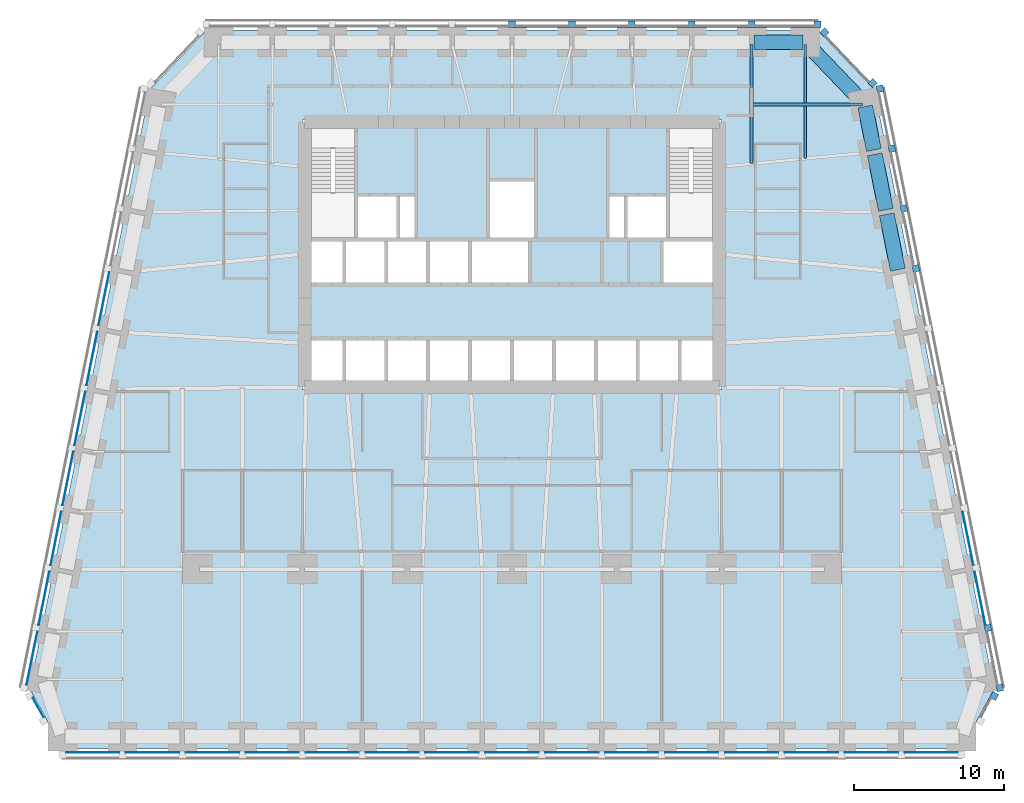
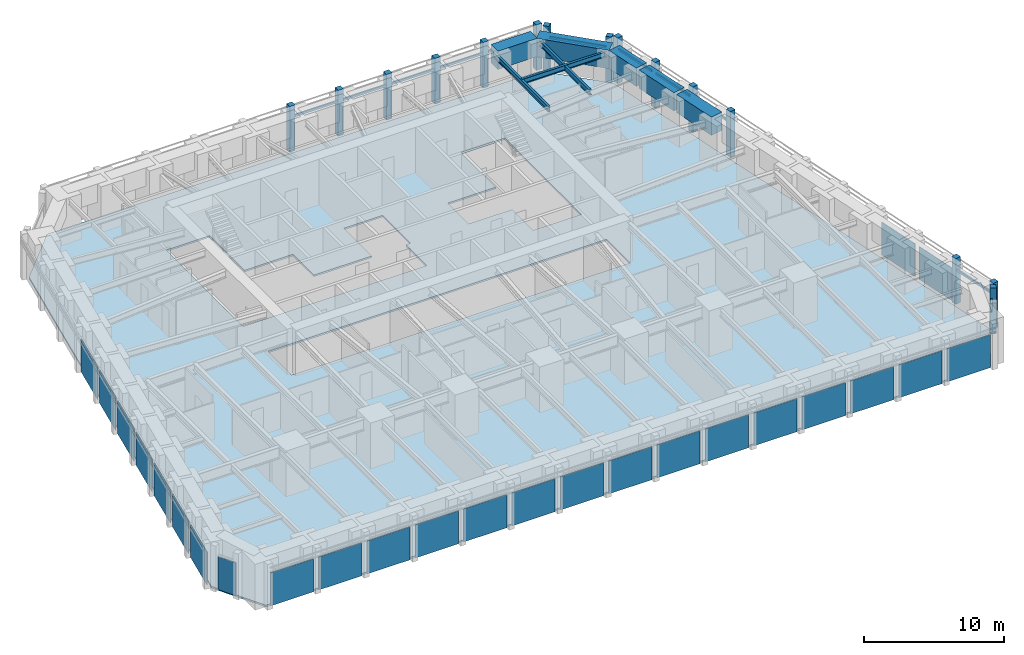
# One storey, part 4 of 10: 26 members, 25 plates, 8 beams, 1 slab, 7 elements without a shape of their own.
"""IFC4 building model written with IfcOpenShell, lengths in metres."""

from ifc_helpers import new_model, si_unit, direction, frame, origin, origin_2d, place, context, subcontext, project, spatial, polyline, rectangle, i_section, outline, extrude, material, layer, layer_set, material_profile, profile_set, type_object, element, aggregate, save


model = new_model("IFC4")

# Units and contexts
model_context = context("Model", 3, precision=1e-05, world=origin(), true_north=direction((0.0, 1.0)))
body_context = subcontext(model_context, "Body", "Model", "MODEL_VIEW")
ifc_project = project(units=[si_unit("LENGTHUNIT", "METRE"), si_unit("AREAUNIT", "SQUARE_METRE"), si_unit("VOLUMEUNIT", "CUBIC_METRE"), si_unit("PLANEANGLEUNIT", "RADIAN"), si_unit("MASSUNIT", "GRAM", prefix="KILO")], contexts=[model_context])

# Site, building, storey
site_placement = place(None, origin())
site = spatial("IfcSite", under=ifc_project, at=site_placement, CompositionType="ELEMENT")
building_placement = place(site_placement, origin())
building = spatial("IfcBuilding", under=site, at=building_placement, Name="Isbrekke Arena Tower", CompositionType="ELEMENT")
storey_placement = place(building_placement, frame((0.0, 0.0, 80.0)))
storey = spatial("IfcBuildingStorey", under=building, at=storey_placement, Name="L17", CompositionType="ELEMENT", Elevation=80.0)

# Beams
ifc_material_1 = material(Name="Steel S355", Category="steel")
ifc_material_profile_1 = material_profile(ifc_material_1, i_section(OverallWidth=0.18994140625, OverallDepth=0.449951171875, WebThickness=0.009521484375, FlangeThickness=0.0146484375, FilletRadius=0.02099609375, at=origin_2d()), Name="IPE 450")
ifc_profile_set_1 = profile_set([ifc_material_profile_1], Name="Steel S355")
beam_type_1 = type_object("IfcBeamType", Name="B2 IPE 450", PredefinedType="BEAM", material=ifc_profile_set_1)
beam_1_placement = place(storey_placement, frame((23.40283203125, 25.029296875, 3.625), z_axis=(-1.0, 0.0, 0.0), x_axis=(0.0, -1.0, 0.0)))
element("IfcBeam", 1, at=beam_1_placement, inside=storey, type_object=beam_type_1, Name="B2 beam E-E11 L17", PredefinedType="BEAM", context=body_context, shape_type="SweptSolid", body=[
    extrude(i_section(OverallWidth=0.18994140625, OverallDepth=0.449951171875, WebThickness=0.009521484375, FlangeThickness=0.0146484375, FilletRadius=0.02099609375, at=origin_2d()), origin(), (0.0, 0.0, 1.0), 7.40283203125),
])
ifc_material_2 = material(Name="Steel S355", Category="steel")
ifc_material_profile_2 = material_profile(ifc_material_2, i_section(OverallWidth=0.18994140625, OverallDepth=0.449951171875, WebThickness=0.009521484375, FlangeThickness=0.0146484375, FilletRadius=0.02099609375, at=origin_2d()), Name="IPE 450")
ifc_profile_set_2 = profile_set([ifc_material_profile_2], Name="Steel S355")
beam_type_2 = type_object("IfcBeamType", Name="B3 IPE 450", PredefinedType="BEAM", material=ifc_profile_set_2)
beam_2_placement = place(storey_placement, frame((19.574951171875, 29.02490234375, 3.625), z_axis=(0.0, -1.0, 0.0), x_axis=(1.0, 0.0, 0.0)))
element("IfcBeam", 2, at=beam_2_placement, inside=storey, type_object=beam_type_2, Name="B3 beam N-N01 L17", PredefinedType="BEAM", context=body_context, shape_type="SweptSolid", body=[
    extrude(i_section(OverallWidth=0.18994140625, OverallDepth=0.449951171875, WebThickness=0.009521484375, FlangeThickness=0.0146484375, FilletRadius=0.02099609375, at=origin_2d()), origin(), (0.0, 0.0, 1.0), 7.616943359375),
])
beam_3_placement = place(storey_placement, frame((16.0, 29.02490234375, 3.625), z_axis=(0.0, -1.0, 0.0), x_axis=(1.0, 0.0, 0.0)))
element("IfcBeam", 3, at=beam_3_placement, inside=storey, type_object=beam_type_2, Name="B3 beam N-N02 L17", PredefinedType="BEAM", context=body_context, shape_type="SweptSolid", body=[
    extrude(i_section(OverallWidth=0.18994140625, OverallDepth=0.449951171875, WebThickness=0.009521484375, FlangeThickness=0.0146484375, FilletRadius=0.02099609375, at=origin_2d()), origin(), (0.0, 0.0, 1.0), 7.961181640625),
])

# Curtain wall, member
ifc_material_3 = material(Name="Glazed aluminium curtain wall", Category="aluminium")
curtain_wall_type = type_object("IfcCurtainWallType", Name="CWL TOWER CURTAIN WALL LOW ZONE", PredefinedType="USERDEFINED", material=ifc_material_3)
curtain_wall_1_placement = place(storey_placement, origin())
curtain_wall_1 = element("IfcCurtainWall", 4, at=curtain_wall_1_placement, inside=storey, type_object=curtain_wall_type, Name="CWL curtain wall L17-SE", ObjectType="TOWER CURTAIN WALL LOW ZONE", PredefinedType="USERDEFINED")
ifc_material_4 = material(Name="Aluminium mullion, pale brick slip cladding", Category="masonry")
ifc_material_profile_3 = material_profile(ifc_material_4, rectangle(XDim=0.449951171875, YDim=0.449951171875, at=origin_2d()), Name="PIER 450X450")
ifc_profile_set_3 = profile_set([ifc_material_profile_3], Name="Aluminium mullion, pale brick slip cladding")
member_type_1 = type_object("IfcMemberType", Name="CWL-M PIER MULLION 450 x 450", PredefinedType="MULLION", material=ifc_profile_set_3)
member_1_placement = place(storey_placement, frame((32.195556640625, -14.47509765625, 0.0), z_axis=(0.0, 0.0, 1.0), x_axis=(0.481918749773, 0.876215908676, 0.0)))
member_1 = element("IfcMember", 5, at=member_1_placement, type_object=member_type_1, Name="CWL-M mullion 2", PredefinedType="MULLION", context=body_context, shape_type="SweptSolid", body=[
    extrude(rectangle(XDim=0.449951171875, YDim=0.449951171875, at=origin_2d()), origin(), (0.0, 0.0, 1.0), 4.0),
])

# Curtain wall, members
curtain_wall_2_placement = place(storey_placement, origin())
curtain_wall_2 = element("IfcCurtainWall", 6, at=curtain_wall_2_placement, inside=storey, type_object=curtain_wall_type, Name="CWL curtain wall L17-E", ObjectType="TOWER CURTAIN WALL LOW ZONE", PredefinedType="USERDEFINED")
member_2_placement = place(storey_placement, frame((32.567626953125, -13.926513671875, 0.0), z_axis=(0.0, 0.0, 1.0), x_axis=(-0.196116135138, 0.980580675691, 0.0)))
member_2 = element("IfcMember", 7, at=member_2_placement, type_object=member_type_1, Name="CWL-M mullion 1", PredefinedType="MULLION", context=body_context, shape_type="SweptSolid", body=[
    extrude(rectangle(XDim=0.449951171875, YDim=0.449951171875, at=origin_2d()), origin(), (0.0, 0.0, 1.0), 4.0),
])
member_3_placement = place(storey_placement, frame((31.767822265625, -9.926513671875, 0.0), z_axis=(0.0, 0.0, 1.0), x_axis=(-0.196116135138, 0.980580675691, 0.0)))
member_3 = element("IfcMember", 8, at=member_3_placement, type_object=member_type_1, Name="CWL-M mullion 2", PredefinedType="MULLION", context=body_context, shape_type="SweptSolid", body=[
    extrude(rectangle(XDim=0.449951171875, YDim=0.449951171875, at=origin_2d()), origin(), (0.0, 0.0, 1.0), 4.0),
])
member_4_placement = place(storey_placement, frame((26.9677734375, 14.073486328125, 0.0), z_axis=(0.0, 0.0, 1.0), x_axis=(-0.196116135138, 0.980580675691, 0.0)))
member_4 = element("IfcMember", 9, at=member_4_placement, type_object=member_type_1, Name="CWL-M mullion 8", PredefinedType="MULLION", context=body_context, shape_type="SweptSolid", body=[
    extrude(rectangle(XDim=0.449951171875, YDim=0.449951171875, at=origin_2d()), origin(), (0.0, 0.0, 1.0), 4.0),
])
member_5_placement = place(storey_placement, frame((26.167724609375, 18.073486328125, 0.0), z_axis=(0.0, 0.0, 1.0), x_axis=(-0.196116135138, 0.980580675691, 0.0)))
member_5 = element("IfcMember", 10, at=member_5_placement, type_object=member_type_1, Name="CWL-M mullion 9", PredefinedType="MULLION", context=body_context, shape_type="SweptSolid", body=[
    extrude(rectangle(XDim=0.449951171875, YDim=0.449951171875, at=origin_2d()), origin(), (0.0, 0.0, 1.0), 4.0),
])
member_6_placement = place(storey_placement, frame((25.36767578125, 22.073486328125, 0.0), z_axis=(0.0, 0.0, 1.0), x_axis=(-0.196116135138, 0.980580675691, 0.0)))
member_6 = element("IfcMember", 11, at=member_6_placement, type_object=member_type_1, Name="CWL-M mullion 10", PredefinedType="MULLION", context=body_context, shape_type="SweptSolid", body=[
    extrude(rectangle(XDim=0.449951171875, YDim=0.449951171875, at=origin_2d()), origin(), (0.0, 0.0, 1.0), 4.0),
])
member_7_placement = place(storey_placement, frame((24.567626953125, 26.073486328125, 0.0), z_axis=(0.0, 0.0, 1.0), x_axis=(-0.196116135138, 0.980580675691, 0.0)))
member_7 = element("IfcMember", 12, at=member_7_placement, type_object=member_type_1, Name="CWL-M mullion 11", PredefinedType="MULLION", context=body_context, shape_type="SweptSolid", body=[
    extrude(rectangle(XDim=0.449951171875, YDim=0.449951171875, at=origin_2d()), origin(), (0.0, 0.0, 1.0), 4.0),
])

curtain_wall_3_placement = place(storey_placement, origin())
curtain_wall_3 = element("IfcCurtainWall", 13, at=curtain_wall_3_placement, inside=storey, type_object=curtain_wall_type, Name="CWL curtain wall L17-EN", ObjectType="TOWER CURTAIN WALL LOW ZONE", PredefinedType="USERDEFINED")
member_8_placement = place(storey_placement, frame((24.08837890625, 26.444091796875, 0.0), z_axis=(0.0, 0.0, 1.0), x_axis=(-0.68874946192, 0.72499943359, 0.0)))
member_8 = element("IfcMember", 14, at=member_8_placement, type_object=member_type_1, Name="CWL-M mullion 1", PredefinedType="MULLION", context=body_context, shape_type="SweptSolid", body=[
    extrude(rectangle(XDim=0.449951171875, YDim=0.449951171875, at=origin_2d()), origin(), (0.0, 0.0, 1.0), 4.0),
])
member_9_placement = place(storey_placement, frame((20.86572265625, 29.83642578125, 0.0), z_axis=(0.0, 0.0, 1.0), x_axis=(-0.68874946192, 0.72499943359, 0.0)))
member_9 = element("IfcMember", 15, at=member_9_placement, type_object=member_type_1, Name="CWL-M mullion 2", PredefinedType="MULLION", context=body_context, shape_type="SweptSolid", body=[
    extrude(rectangle(XDim=0.449951171875, YDim=0.449951171875, at=origin_2d()), origin(), (0.0, 0.0, 1.0), 4.0),
])

curtain_wall_4_placement = place(storey_placement, origin())
curtain_wall_4 = element("IfcCurtainWall", 16, at=curtain_wall_4_placement, inside=storey, type_object=curtain_wall_type, Name="CWL curtain wall L17-N", ObjectType="TOWER CURTAIN WALL LOW ZONE", PredefinedType="USERDEFINED")
member_10_placement = place(storey_placement, frame((20.39990234375, 30.375, 0.0), z_axis=(0.0, 0.0, 1.0), x_axis=(-1.0, 0.0, 0.0)))
member_10 = element("IfcMember", 17, at=member_10_placement, type_object=member_type_1, Name="CWL-M mullion 1", PredefinedType="MULLION", context=body_context, shape_type="SweptSolid", body=[
    extrude(rectangle(XDim=0.449951171875, YDim=0.449951171875, at=origin_2d()), origin(), (0.0, 0.0, 1.0), 4.0),
])
member_11_placement = place(storey_placement, frame((16.0, 30.375, 0.0), z_axis=(0.0, 0.0, 1.0), x_axis=(-1.0, 0.0, 0.0)))
member_11 = element("IfcMember", 18, at=member_11_placement, type_object=member_type_1, Name="CWL-M mullion 2", PredefinedType="MULLION", context=body_context, shape_type="SweptSolid", body=[
    extrude(rectangle(XDim=0.449951171875, YDim=0.449951171875, at=origin_2d()), origin(), (0.0, 0.0, 1.0), 4.0),
])
member_12_placement = place(storey_placement, frame((12.0, 30.375, 0.0), z_axis=(0.0, 0.0, 1.0), x_axis=(-1.0, 0.0, 0.0)))
member_12 = element("IfcMember", 19, at=member_12_placement, type_object=member_type_1, Name="CWL-M mullion 3", PredefinedType="MULLION", context=body_context, shape_type="SweptSolid", body=[
    extrude(rectangle(XDim=0.449951171875, YDim=0.449951171875, at=origin_2d()), origin(), (0.0, 0.0, 1.0), 4.0),
])
member_13_placement = place(storey_placement, frame((8.0, 30.375, 0.0), z_axis=(0.0, 0.0, 1.0), x_axis=(-1.0, 0.0, 0.0)))
member_13 = element("IfcMember", 20, at=member_13_placement, type_object=member_type_1, Name="CWL-M mullion 4", PredefinedType="MULLION", context=body_context, shape_type="SweptSolid", body=[
    extrude(rectangle(XDim=0.449951171875, YDim=0.449951171875, at=origin_2d()), origin(), (0.0, 0.0, 1.0), 4.0),
])
member_14_placement = place(storey_placement, frame((4.0, 30.375, 0.0), z_axis=(0.0, 0.0, 1.0), x_axis=(-1.0, 0.0, 0.0)))
member_14 = element("IfcMember", 21, at=member_14_placement, type_object=member_type_1, Name="CWL-M mullion 5", PredefinedType="MULLION", context=body_context, shape_type="SweptSolid", body=[
    extrude(rectangle(XDim=0.449951171875, YDim=0.449951171875, at=origin_2d()), origin(), (0.0, 0.0, 1.0), 4.0),
])
member_15_placement = place(storey_placement, frame((0.0, 30.375, 0.0), z_axis=(0.0, 0.0, 1.0), x_axis=(-1.0, 0.0, 0.0)))
member_15 = element("IfcMember", 22, at=member_15_placement, type_object=member_type_1, Name="CWL-M mullion 6", PredefinedType="MULLION", context=body_context, shape_type="SweptSolid", body=[
    extrude(rectangle(XDim=0.449951171875, YDim=0.449951171875, at=origin_2d()), origin(), (0.0, 0.0, 1.0), 4.0),
])

# Member
ifc_material_5 = material(Name="Aluminium transom", Category="aluminium")
ifc_material_profile_4 = material_profile(ifc_material_5, rectangle(XDim=0.1201171875, YDim=0.199951171875, at=origin_2d()), Name="TRANSOM 120X200")
ifc_profile_set_4 = profile_set([ifc_material_profile_4], Name="Aluminium transom")
member_type_2 = type_object("IfcMemberType", Name="CWL-T TRANSOM 120 x 200", PredefinedType="USERDEFINED", material=ifc_profile_set_4)
member_16_placement = place(storey_placement, frame((31.277099609375, -15.88525390625, 3.0), z_axis=(0.481944543569, 0.876201721594, 0.0), x_axis=(-0.876201721594, 0.481944543569, 0.0)))
member_16 = element("IfcMember", 23, at=member_16_placement, type_object=member_type_2, Name="CWL-T transom 1", ObjectType="TRANSOM", PredefinedType="USERDEFINED", context=body_context, shape_type="SweptSolid", body=[
    extrude(rectangle(XDim=0.1201171875, YDim=0.199951171875, at=origin_2d()), origin(), (0.0, 0.0, 1.0), 1.453369140625),
])

aggregate(curtain_wall_1, [member_1, member_16])

member_17_placement = place(storey_placement, frame((32.401123046875, -13.730224609375, 3.0), z_axis=(-0.196167883278, 0.980570324643, 0.0), x_axis=(-0.980570324643, -0.196167883278, 0.0)))
member_17 = element("IfcMember", 24, at=member_17_placement, type_object=member_type_2, Name="CWL-T transom 1", ObjectType="TRANSOM", PredefinedType="USERDEFINED", context=body_context, shape_type="SweptSolid", body=[
    extrude(rectangle(XDim=0.1201171875, YDim=0.199951171875, at=origin_2d()), origin(), (0.0, 0.0, 1.0), 3.629150390625),
])

member_18_placement = place(storey_placement, frame((26.801025390625, 14.269775390625, 3.0), z_axis=(-0.196103197847, 0.98058326306, 0.0), x_axis=(-0.98058326306, -0.196103197847, 0.0)))
member_18 = element("IfcMember", 25, at=member_18_placement, type_object=member_type_2, Name="CWL-T transom 8", ObjectType="TRANSOM", PredefinedType="USERDEFINED", context=body_context, shape_type="SweptSolid", body=[
    extrude(rectangle(XDim=0.1201171875, YDim=0.199951171875, at=origin_2d()), origin(), (0.0, 0.0, 1.0), 3.629150390625),
])

member_19_placement = place(storey_placement, frame((26.0009765625, 18.269775390625, 3.0), z_axis=(-0.196103197847, 0.98058326306, 0.0), x_axis=(-0.98058326306, -0.196103197847, 0.0)))
member_19 = element("IfcMember", 26, at=member_19_placement, type_object=member_type_2, Name="CWL-T transom 9", ObjectType="TRANSOM", PredefinedType="USERDEFINED", context=body_context, shape_type="SweptSolid", body=[
    extrude(rectangle(XDim=0.1201171875, YDim=0.199951171875, at=origin_2d()), origin(), (0.0, 0.0, 1.0), 3.629150390625),
])

member_20_placement = place(storey_placement, frame((25.200927734375, 22.269775390625, 3.0), z_axis=(-0.196103197847, 0.98058326306, 0.0), x_axis=(-0.98058326306, -0.196103197847, 0.0)))
member_20 = element("IfcMember", 27, at=member_20_placement, type_object=member_type_2, Name="CWL-T transom 10", ObjectType="TRANSOM", PredefinedType="USERDEFINED", context=body_context, shape_type="SweptSolid", body=[
    extrude(rectangle(XDim=0.1201171875, YDim=0.199951171875, at=origin_2d()), origin(), (0.0, 0.0, 1.0), 3.629150390625),
])

member_21_placement = place(storey_placement, frame((23.8427734375, 26.521240234375, 3.0), z_axis=(-0.688776771287, 0.724973488712, 0.0), x_axis=(-0.724973488712, -0.688776771287, 0.0)))
member_21 = element("IfcMember", 28, at=member_21_placement, type_object=member_type_2, Name="CWL-T transom 1", ObjectType="TRANSOM", PredefinedType="USERDEFINED", context=body_context, shape_type="SweptSolid", body=[
    extrude(rectangle(XDim=0.1201171875, YDim=0.199951171875, at=origin_2d()), origin(), (0.0, 0.0, 1.0), 4.22900390625),
])

aggregate(curtain_wall_3, [member_8, member_9, member_21])

member_22_placement = place(storey_placement, frame((20.175048828125, 30.25, 3.0), z_axis=(-1.0, 0.0, 0.0), x_axis=(0.0, -1.0, 0.0)))
member_22 = element("IfcMember", 29, at=member_22_placement, type_object=member_type_2, Name="CWL-T transom 1", ObjectType="TRANSOM", PredefinedType="USERDEFINED", context=body_context, shape_type="SweptSolid", body=[
    extrude(rectangle(XDim=0.1201171875, YDim=0.199951171875, at=origin_2d()), origin(), (0.0, 0.0, 1.0), 3.949951171875),
])

member_23_placement = place(storey_placement, frame((15.77490234375, 30.25, 3.0), z_axis=(-1.0, 0.0, 0.0), x_axis=(0.0, -1.0, 0.0)))
member_23 = element("IfcMember", 30, at=member_23_placement, type_object=member_type_2, Name="CWL-T transom 2", ObjectType="TRANSOM", PredefinedType="USERDEFINED", context=body_context, shape_type="SweptSolid", body=[
    extrude(rectangle(XDim=0.1201171875, YDim=0.199951171875, at=origin_2d()), origin(), (0.0, 0.0, 1.0), 3.5498046875),
])

member_24_placement = place(storey_placement, frame((11.77490234375, 30.25, 3.0), z_axis=(-1.0, 0.0, 0.0), x_axis=(0.0, -1.0, 0.0)))
member_24 = element("IfcMember", 31, at=member_24_placement, type_object=member_type_2, Name="CWL-T transom 3", ObjectType="TRANSOM", PredefinedType="USERDEFINED", context=body_context, shape_type="SweptSolid", body=[
    extrude(rectangle(XDim=0.1201171875, YDim=0.199951171875, at=origin_2d()), origin(), (0.0, 0.0, 1.0), 3.5498046875),
])

member_25_placement = place(storey_placement, frame((7.77490234375, 30.25, 3.0), z_axis=(-1.0, 0.0, 0.0), x_axis=(0.0, -1.0, 0.0)))
member_25 = element("IfcMember", 32, at=member_25_placement, type_object=member_type_2, Name="CWL-T transom 4", ObjectType="TRANSOM", PredefinedType="USERDEFINED", context=body_context, shape_type="SweptSolid", body=[
    extrude(rectangle(XDim=0.1201171875, YDim=0.199951171875, at=origin_2d()), origin(), (0.0, 0.0, 1.0), 3.5498046875),
])

member_26_placement = place(storey_placement, frame((3.77490234375, 30.25, 3.0), z_axis=(-1.0, 0.0, 0.0), x_axis=(0.0, -1.0, 0.0)))
member_26 = element("IfcMember", 33, at=member_26_placement, type_object=member_type_2, Name="CWL-T transom 5", ObjectType="TRANSOM", PredefinedType="USERDEFINED", context=body_context, shape_type="SweptSolid", body=[
    extrude(rectangle(XDim=0.1201171875, YDim=0.199951171875, at=origin_2d()), origin(), (0.0, 0.0, 1.0), 3.5498046875),
])

aggregate(curtain_wall_4, [member_10, member_11, member_12, member_13, member_14, member_15, member_22, member_23, member_24, member_25, member_26])

# Beams
ifc_material_6 = material(Name="Concrete B90 (C90/105)", Category="concrete")
ifc_material_profile_5 = material_profile(ifc_material_6, rectangle(XDim=1.0, YDim=1.60009765625, at=origin_2d()), Name="RC 1000x1600")
ifc_profile_set_5 = profile_set([ifc_material_profile_5], Name="Concrete B90 (C90/105)")
beam_type_3 = type_object("IfcBeamType", Name="SB1 RC 1000 x 1600", PredefinedType="SPANDREL", material=ifc_profile_set_5)
for number, where, z_axis, x_axis, name in (
    (34, (25.76171875, 13.9853515625, 3.199951171875), (-0.196128558387, 0.980578190959, 0.0), (-0.980578190959, -0.196128558387, 0.0), "SB1 spandrel E08-E09 L17"),
    (35, (24.961669921875, 17.9853515625, 3.199951171875), (-0.196128558387, 0.980578190959, 0.0), (-0.980578190959, -0.196128558387, 0.0), "SB1 spandrel E09-E10 L17"),
):
    element("IfcBeam", number, at=place(storey_placement, frame(where, z_axis=z_axis, x_axis=x_axis)), inside=storey, type_object=beam_type_3, Name=name, PredefinedType="SPANDREL", context=body_context, shape_type="SweptSolid", body=[
        extrude(rectangle(XDim=1.0, YDim=1.60009765625, at=origin_2d()), origin(), (0.0, 0.0, 1.0), 3.779296875),
    ])
beam_4_placement = place(storey_placement, frame((24.16162109375, 21.9853515625, 3.199951171875), z_axis=(-0.196116135138, 0.980580675691, 0.0), x_axis=(-0.980580675691, -0.196116135138, 0.0)))
element("IfcBeam", 36, at=beam_4_placement, inside=storey, type_object=beam_type_3, Name="SB1 spandrel E10-E11 L17", PredefinedType="SPANDREL", context=body_context, shape_type="SweptSolid", body=[
    extrude(rectangle(XDim=1.0, YDim=1.60009765625, at=origin_2d()), origin(), (0.0, 0.0, 1.0), 2.9541015625),
])
beam_5_placement = place(storey_placement, frame((23.448974609375, 25.137451171875, 3.199951171875), z_axis=(-0.692339547635, 0.721571861134, 0.0), x_axis=(-0.721571861134, -0.692339547635, 0.0)))
element("IfcBeam", 37, at=beam_5_placement, inside=storey, type_object=beam_type_3, Name="SB1 spandrel E11-N01 L17", PredefinedType="SPANDREL", context=body_context, shape_type="SweptSolid", body=[
    extrude(rectangle(XDim=1.0, YDim=1.60009765625, at=origin_2d()), origin(), (0.0, 0.0, 1.0), 5.4453125),
])
beam_6_placement = place(storey_placement, frame((19.425048828125, 29.175048828125, 3.199951171875), z_axis=(-1.0, 0.0, 0.0), x_axis=(0.0, -1.0, 0.0)))
element("IfcBeam", 38, at=beam_6_placement, inside=storey, type_object=beam_type_3, Name="SB1 spandrel N01-N02 L17", PredefinedType="SPANDREL", context=body_context, shape_type="SweptSolid", body=[
    extrude(rectangle(XDim=1.0, YDim=1.60009765625, at=origin_2d()), origin(), (0.0, 0.0, 1.0), 3.275146484375),
])

# Curtain wall, plates
curtain_wall_5_placement = place(storey_placement, origin())
curtain_wall_5 = element("IfcCurtainWall", 39, at=curtain_wall_5_placement, inside=storey, type_object=curtain_wall_type, Name="CWL curtain wall L17-S", ObjectType="TOWER CURTAIN WALL LOW ZONE", PredefinedType="USERDEFINED")
ifc_material_7 = material(Name="Triple-glazed clear glass unit", Category="glass")
ifc_layer_1 = layer(ifc_material_7, 0.031982421875)
ifc_layer_set_1 = layer_set([ifc_layer_1], Name="CWL-P VISION PANEL")
plate_type = type_object("IfcPlateType", Name="CWL-P VISION PANEL", PredefinedType="CURTAIN_PANEL", material=ifc_layer_set_1)
plate_1_placement = place(storey_placement, frame((-28.0, -18.25, 0.02001953125), z_axis=(0.0, 0.0, 1.0), x_axis=(1.0, 0.0, 0.0)))
plate_1 = element("IfcPlate", 40, at=plate_1_placement, type_object=plate_type, Name="CWL-P panel 1", PredefinedType="CURTAIN_PANEL", context=body_context, shape_type="SweptSolid", body=[
    extrude(rectangle(XDim=3.550048828125, YDim=0.031982421875, at=origin_2d()), origin(), (0.0, 0.0, 1.0), 2.8798828125),
])
plate_2_placement = place(storey_placement, frame((-24.0, -18.25, 0.02001953125), z_axis=(0.0, 0.0, 1.0), x_axis=(1.0, 0.0, 0.0)))
plate_2 = element("IfcPlate", 41, at=plate_2_placement, type_object=plate_type, Name="CWL-P panel 2", PredefinedType="CURTAIN_PANEL", context=body_context, shape_type="SweptSolid", body=[
    extrude(rectangle(XDim=3.550048828125, YDim=0.031982421875, at=origin_2d()), origin(), (0.0, 0.0, 1.0), 2.8798828125),
])
plate_3_placement = place(storey_placement, frame((-20.0, -18.25, 0.02001953125), z_axis=(0.0, 0.0, 1.0), x_axis=(1.0, 0.0, 0.0)))
plate_3 = element("IfcPlate", 42, at=plate_3_placement, type_object=plate_type, Name="CWL-P panel 3", PredefinedType="CURTAIN_PANEL", context=body_context, shape_type="SweptSolid", body=[
    extrude(rectangle(XDim=3.550048828125, YDim=0.031982421875, at=origin_2d()), origin(), (0.0, 0.0, 1.0), 2.8798828125),
])
plate_4_placement = place(storey_placement, frame((-16.0, -18.25, 0.02001953125), z_axis=(0.0, 0.0, 1.0), x_axis=(1.0, 0.0, 0.0)))
plate_4 = element("IfcPlate", 43, at=plate_4_placement, type_object=plate_type, Name="CWL-P panel 4", PredefinedType="CURTAIN_PANEL", context=body_context, shape_type="SweptSolid", body=[
    extrude(rectangle(XDim=3.550048828125, YDim=0.031982421875, at=origin_2d()), origin(), (0.0, 0.0, 1.0), 2.8798828125),
])
plate_5_placement = place(storey_placement, frame((-12.0, -18.25, 0.02001953125), z_axis=(0.0, 0.0, 1.0), x_axis=(1.0, 0.0, 0.0)))
plate_5 = element("IfcPlate", 44, at=plate_5_placement, type_object=plate_type, Name="CWL-P panel 5", PredefinedType="CURTAIN_PANEL", context=body_context, shape_type="SweptSolid", body=[
    extrude(rectangle(XDim=3.550048828125, YDim=0.031982421875, at=origin_2d()), origin(), (0.0, 0.0, 1.0), 2.8798828125),
])
plate_6_placement = place(storey_placement, frame((-8.0, -18.25, 0.02001953125), z_axis=(0.0, 0.0, 1.0), x_axis=(1.0, 0.0, 0.0)))
plate_6 = element("IfcPlate", 45, at=plate_6_placement, type_object=plate_type, Name="CWL-P panel 6", PredefinedType="CURTAIN_PANEL", context=body_context, shape_type="SweptSolid", body=[
    extrude(rectangle(XDim=3.550048828125, YDim=0.031982421875, at=origin_2d()), origin(), (0.0, 0.0, 1.0), 2.8798828125),
])
plate_7_placement = place(storey_placement, frame((-4.0, -18.25, 0.02001953125), z_axis=(0.0, 0.0, 1.0), x_axis=(1.0, 0.0, 0.0)))
plate_7 = element("IfcPlate", 46, at=plate_7_placement, type_object=plate_type, Name="CWL-P panel 7", PredefinedType="CURTAIN_PANEL", context=body_context, shape_type="SweptSolid", body=[
    extrude(rectangle(XDim=3.550048828125, YDim=0.031982421875, at=origin_2d()), origin(), (0.0, 0.0, 1.0), 2.8798828125),
])
plate_8_placement = place(storey_placement, frame((0.0, -18.25, 0.02001953125), z_axis=(0.0, 0.0, 1.0), x_axis=(1.0, 0.0, 0.0)))
plate_8 = element("IfcPlate", 47, at=plate_8_placement, type_object=plate_type, Name="CWL-P panel 8", PredefinedType="CURTAIN_PANEL", context=body_context, shape_type="SweptSolid", body=[
    extrude(rectangle(XDim=3.550048828125, YDim=0.031982421875, at=origin_2d()), origin(), (0.0, 0.0, 1.0), 2.8798828125),
])
plate_9_placement = place(storey_placement, frame((4.0, -18.25, 0.02001953125), z_axis=(0.0, 0.0, 1.0), x_axis=(1.0, 0.0, 0.0)))
plate_9 = element("IfcPlate", 48, at=plate_9_placement, type_object=plate_type, Name="CWL-P panel 9", PredefinedType="CURTAIN_PANEL", context=body_context, shape_type="SweptSolid", body=[
    extrude(rectangle(XDim=3.550048828125, YDim=0.031982421875, at=origin_2d()), origin(), (0.0, 0.0, 1.0), 2.8798828125),
])
plate_10_placement = place(storey_placement, frame((8.0, -18.25, 0.02001953125), z_axis=(0.0, 0.0, 1.0), x_axis=(1.0, 0.0, 0.0)))
plate_10 = element("IfcPlate", 49, at=plate_10_placement, type_object=plate_type, Name="CWL-P panel 10", PredefinedType="CURTAIN_PANEL", context=body_context, shape_type="SweptSolid", body=[
    extrude(rectangle(XDim=3.550048828125, YDim=0.031982421875, at=origin_2d()), origin(), (0.0, 0.0, 1.0), 2.8798828125),
])
plate_11_placement = place(storey_placement, frame((12.0, -18.25, 0.02001953125), z_axis=(0.0, 0.0, 1.0), x_axis=(1.0, 0.0, 0.0)))
plate_11 = element("IfcPlate", 50, at=plate_11_placement, type_object=plate_type, Name="CWL-P panel 11", PredefinedType="CURTAIN_PANEL", context=body_context, shape_type="SweptSolid", body=[
    extrude(rectangle(XDim=3.550048828125, YDim=0.031982421875, at=origin_2d()), origin(), (0.0, 0.0, 1.0), 2.8798828125),
])
plate_12_placement = place(storey_placement, frame((16.0, -18.25, 0.02001953125), z_axis=(0.0, 0.0, 1.0), x_axis=(1.0, 0.0, 0.0)))
plate_12 = element("IfcPlate", 51, at=plate_12_placement, type_object=plate_type, Name="CWL-P panel 12", PredefinedType="CURTAIN_PANEL", context=body_context, shape_type="SweptSolid", body=[
    extrude(rectangle(XDim=3.550048828125, YDim=0.031982421875, at=origin_2d()), origin(), (0.0, 0.0, 1.0), 2.8798828125),
])
plate_13_placement = place(storey_placement, frame((20.0, -18.25, 0.02001953125), z_axis=(0.0, 0.0, 1.0), x_axis=(1.0, 0.0, 0.0)))
plate_13 = element("IfcPlate", 52, at=plate_13_placement, type_object=plate_type, Name="CWL-P panel 13", PredefinedType="CURTAIN_PANEL", context=body_context, shape_type="SweptSolid", body=[
    extrude(rectangle(XDim=3.550048828125, YDim=0.031982421875, at=origin_2d()), origin(), (0.0, 0.0, 1.0), 2.8798828125),
])
plate_14_placement = place(storey_placement, frame((24.0, -18.25, 0.02001953125), z_axis=(0.0, 0.0, 1.0), x_axis=(1.0, 0.0, 0.0)))
plate_14 = element("IfcPlate", 53, at=plate_14_placement, type_object=plate_type, Name="CWL-P panel 14", PredefinedType="CURTAIN_PANEL", context=body_context, shape_type="SweptSolid", body=[
    extrude(rectangle(XDim=3.550048828125, YDim=0.031982421875, at=origin_2d()), origin(), (0.0, 0.0, 1.0), 2.8798828125),
])
plate_15_placement = place(storey_placement, frame((28.0, -18.25, 0.02001953125), z_axis=(0.0, 0.0, 1.0), x_axis=(1.0, 0.0, 0.0)))
plate_15 = element("IfcPlate", 54, at=plate_15_placement, type_object=plate_type, Name="CWL-P panel 15", PredefinedType="CURTAIN_PANEL", context=body_context, shape_type="SweptSolid", body=[
    extrude(rectangle(XDim=3.550048828125, YDim=0.031982421875, at=origin_2d()), origin(), (0.0, 0.0, 1.0), 2.8798828125),
])
aggregate(curtain_wall_5, [plate_1, plate_2, plate_3, plate_4, plate_5, plate_6, plate_7, plate_8, plate_9, plate_10, plate_11, plate_12, plate_13, plate_14, plate_15])

# Plate
plate_16_placement = place(storey_placement, frame((31.2451171875, -7.950927734375, 0.02001953125), z_axis=(0.0, 0.0, 1.0), x_axis=(-0.196116135138, 0.980580675691, 0.0)))
plate_16 = element("IfcPlate", 55, at=plate_16_placement, type_object=plate_type, Name="CWL-P panel 2", PredefinedType="CURTAIN_PANEL", context=body_context, shape_type="SweptSolid", body=[
    extrude(rectangle(XDim=3.629150390625, YDim=0.031982421875, at=origin_2d()), origin(), (0.0, 0.0, 1.0), 2.8798828125),
])

plate_17_placement = place(storey_placement, frame((30.445068359375, -3.950927734375, 0.02001953125), z_axis=(0.0, 0.0, 1.0), x_axis=(-0.196116135138, 0.980580675691, 0.0)))
plate_17 = element("IfcPlate", 56, at=plate_17_placement, type_object=plate_type, Name="CWL-P panel 3", PredefinedType="CURTAIN_PANEL", context=body_context, shape_type="SweptSolid", body=[
    extrude(rectangle(XDim=3.629150390625, YDim=0.031982421875, at=origin_2d()), origin(), (0.0, 0.0, 1.0), 2.8798828125),
])

aggregate(curtain_wall_2, [member_2, member_3, member_4, member_5, member_6, member_7, member_17, plate_16, plate_17, member_18, member_19, member_20])

# Curtain wall, plates
curtain_wall_6_placement = place(storey_placement, origin())
curtain_wall_6 = element("IfcCurtainWall", 57, at=curtain_wall_6_placement, inside=storey, type_object=curtain_wall_type, Name="CWL curtain wall L17-W", ObjectType="TOWER CURTAIN WALL LOW ZONE", PredefinedType="USERDEFINED")
plate_18_placement = place(storey_placement, frame((-27.2451171875, 12.049072265625, 0.02001953125), z_axis=(0.0, 0.0, 1.0), x_axis=(-0.196116135138, -0.980580675691, 0.0)))
plate_18 = element("IfcPlate", 58, at=plate_18_placement, type_object=plate_type, Name="CWL-P panel 4", PredefinedType="CURTAIN_PANEL", context=body_context, shape_type="SweptSolid", body=[
    extrude(rectangle(XDim=3.629150390625, YDim=0.031982421875, at=origin_2d()), origin(), (0.0, 0.0, 1.0), 2.8798828125),
])
plate_19_placement = place(storey_placement, frame((-28.045166015625, 8.049072265625, 0.02001953125), z_axis=(0.0, 0.0, 1.0), x_axis=(-0.196116135138, -0.980580675691, 0.0)))
plate_19 = element("IfcPlate", 59, at=plate_19_placement, type_object=plate_type, Name="CWL-P panel 5", PredefinedType="CURTAIN_PANEL", context=body_context, shape_type="SweptSolid", body=[
    extrude(rectangle(XDim=3.629150390625, YDim=0.031982421875, at=origin_2d()), origin(), (0.0, 0.0, 1.0), 2.8798828125),
])
plate_20_placement = place(storey_placement, frame((-28.84521484375, 4.049072265625, 0.02001953125), z_axis=(0.0, 0.0, 1.0), x_axis=(-0.196116135138, -0.980580675691, 0.0)))
plate_20 = element("IfcPlate", 60, at=plate_20_placement, type_object=plate_type, Name="CWL-P panel 6", PredefinedType="CURTAIN_PANEL", context=body_context, shape_type="SweptSolid", body=[
    extrude(rectangle(XDim=3.629150390625, YDim=0.031982421875, at=origin_2d()), origin(), (0.0, 0.0, 1.0), 2.8798828125),
])
plate_21_placement = place(storey_placement, frame((-29.645263671875, 0.049072265625, 0.02001953125), z_axis=(0.0, 0.0, 1.0), x_axis=(-0.196116135138, -0.980580675691, 0.0)))
plate_21 = element("IfcPlate", 61, at=plate_21_placement, type_object=plate_type, Name="CWL-P panel 7", PredefinedType="CURTAIN_PANEL", context=body_context, shape_type="SweptSolid", body=[
    extrude(rectangle(XDim=3.629150390625, YDim=0.031982421875, at=origin_2d()), origin(), (0.0, 0.0, 1.0), 2.8798828125),
])
plate_22_placement = place(storey_placement, frame((-30.445068359375, -3.950927734375, 0.02001953125), z_axis=(0.0, 0.0, 1.0), x_axis=(-0.196116135138, -0.980580675691, 0.0)))
plate_22 = element("IfcPlate", 62, at=plate_22_placement, type_object=plate_type, Name="CWL-P panel 8", PredefinedType="CURTAIN_PANEL", context=body_context, shape_type="SweptSolid", body=[
    extrude(rectangle(XDim=3.629150390625, YDim=0.031982421875, at=origin_2d()), origin(), (0.0, 0.0, 1.0), 2.8798828125),
])
plate_23_placement = place(storey_placement, frame((-31.2451171875, -7.950927734375, 0.02001953125), z_axis=(0.0, 0.0, 1.0), x_axis=(-0.196116135138, -0.980580675691, 0.0)))
plate_23 = element("IfcPlate", 63, at=plate_23_placement, type_object=plate_type, Name="CWL-P panel 9", PredefinedType="CURTAIN_PANEL", context=body_context, shape_type="SweptSolid", body=[
    extrude(rectangle(XDim=3.629150390625, YDim=0.031982421875, at=origin_2d()), origin(), (0.0, 0.0, 1.0), 2.8798828125),
])
plate_24_placement = place(storey_placement, frame((-32.045166015625, -11.950927734375, 0.02001953125), z_axis=(0.0, 0.0, 1.0), x_axis=(-0.196116135138, -0.980580675691, 0.0)))
plate_24 = element("IfcPlate", 64, at=plate_24_placement, type_object=plate_type, Name="CWL-P panel 10", PredefinedType="CURTAIN_PANEL", context=body_context, shape_type="SweptSolid", body=[
    extrude(rectangle(XDim=3.629150390625, YDim=0.031982421875, at=origin_2d()), origin(), (0.0, 0.0, 1.0), 2.8798828125),
])
aggregate(curtain_wall_6, [plate_18, plate_19, plate_20, plate_21, plate_22, plate_23, plate_24])

# Curtain wall, plate
curtain_wall_7_placement = place(storey_placement, origin())
curtain_wall_7 = element("IfcCurtainWall", 65, at=curtain_wall_7_placement, inside=storey, type_object=curtain_wall_type, Name="CWL curtain wall L17-WS", ObjectType="TOWER CURTAIN WALL LOW ZONE", PredefinedType="USERDEFINED")
plate_25_placement = place(storey_placement, frame((-31.627197265625, -15.2490234375, 0.02001953125), z_axis=(0.0, 0.0, 1.0), x_axis=(0.481918749773, -0.876215908676, 0.0)))
plate_25 = element("IfcPlate", 66, at=plate_25_placement, type_object=plate_type, Name="CWL-P panel 1", PredefinedType="CURTAIN_PANEL", context=body_context, shape_type="SweptSolid", body=[
    extrude(rectangle(XDim=1.455322265625, YDim=0.031982421875, at=origin_2d()), origin(), (0.0, 0.0, 1.0), 2.8798828125),
])
aggregate(curtain_wall_7, [plate_25])

# Slab
ifc_material_8 = material(Name="Concrete B35 (C35/45)", Category="concrete")
ifc_layer_2 = layer(ifc_material_8, 0.14990234375)
ifc_layer_set_2 = layer_set([ifc_layer_2], Name="FS1 COMPOSITE FLOOR 150")
slab_type = type_object("IfcSlabType", Name="FS1 COMPOSITE FLOOR 150", PredefinedType="FLOOR", material=ifc_layer_set_2)
slab_placement = place(storey_placement, frame((0.0, 0.0, -0.14990234375)))
element("IfcSlab", 67, at=slab_placement, inside=storey, type_object=slab_type, Name="FS1 floor slab L17", PredefinedType="FLOOR", context=body_context, shape_type="SweptSolid", body=[
    extrude(outline(polyline([(-30.0, -18.0), (30.0, -18.0), (32.199951171875, -14.0), (24.199951171875, 26.0), (20.39990234375, 30.0), (-20.39990234375, 30.0), (-24.199951171875, 26.0), (-32.199951171875, -14.0), (-30.0, -18.0)]), holes=[polyline([(14.0, 9.39990234375), (14.0, 6.0), (-14.0, 6.0), (-14.0, 9.39990234375), (14.0, 9.39990234375)]), polyline([(-6.39990234375, 19.0), (-6.39990234375, 16.0), (-1.60009765625, 16.0), (-1.60009765625, 20.0), (1.60009765625, 20.0), (1.60009765625, 16.0), (1.199951171875, 16.0), (1.199951171875, 13.0), (-14.0, 13.0), (-14.0, 24.0), (-10.39990234375, 24.0), (-10.39990234375, 19.0), (-6.39990234375, 19.0)]), polyline([(10.0, 13.0), (10.0, 16.0), (6.39990234375, 16.0), (6.39990234375, 19.0), (10.39990234375, 19.0), (10.39990234375, 24.0), (14.0, 24.0), (14.0, 13.0), (10.0, 13.0)])]), origin(), (0.0, 0.0, 1.0), 0.14990234375),
])

save(model, "model.ifc")
